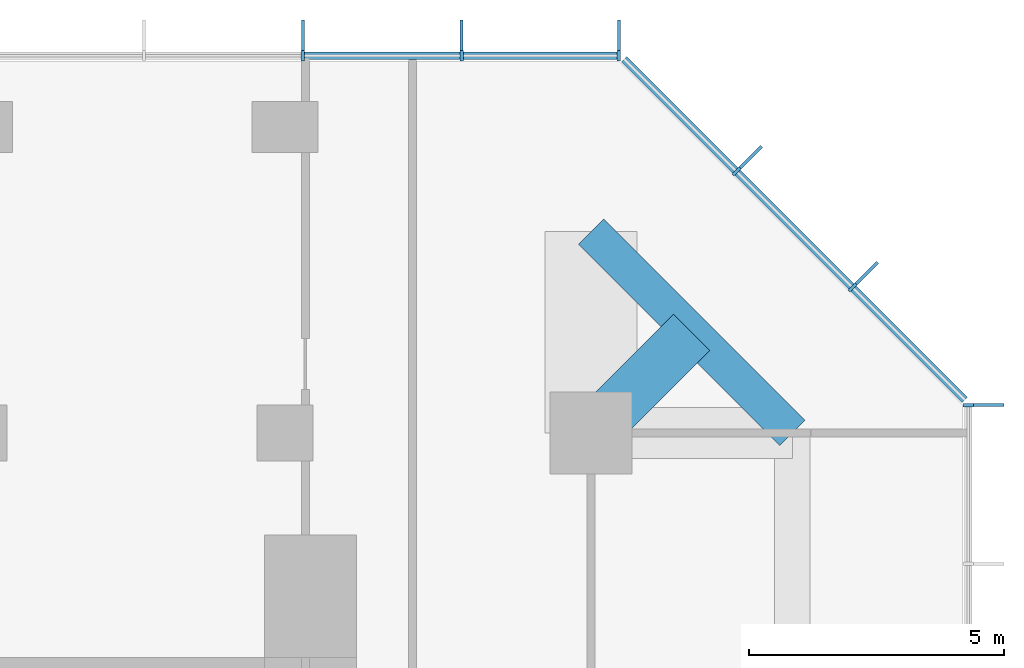
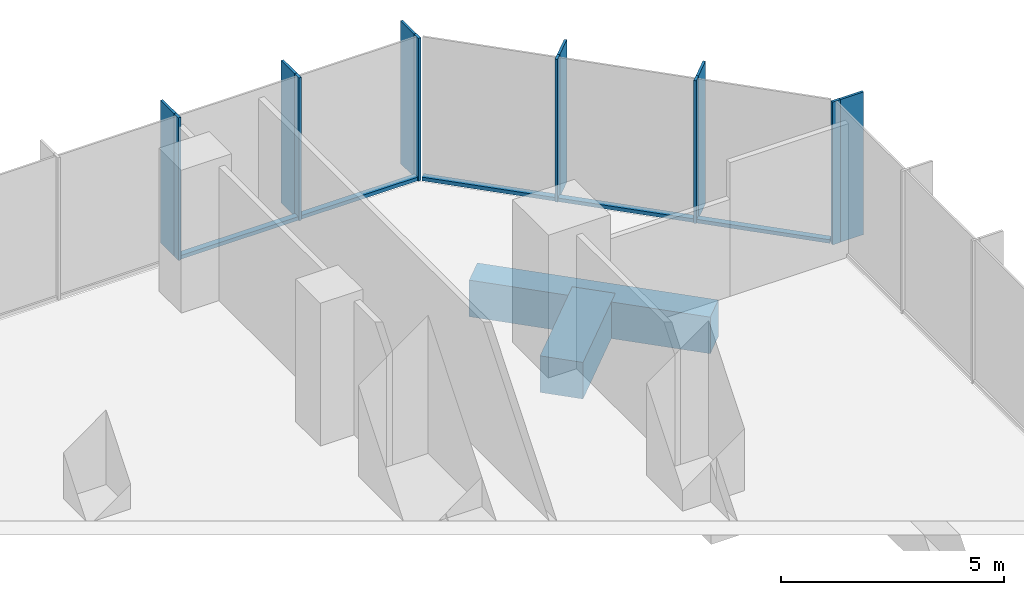
# One storey, part 6 of 10: 17 members, 2 beams, 3 elements without a shape of their own.
"""IFC4 building model written with IfcOpenShell, lengths in metres."""

from ifc_helpers import new_model, si_unit, direction, frame, origin, origin_2d, place, context, subcontext, project, spatial, rectangle, extrude, material, layer, layer_set, material_profile, profile_set, type_object, element, aggregate, save


model = new_model("IFC4")

# Units and contexts
model_context = context("Model", 3, precision=1e-05, world=origin(), true_north=direction((0.0, 1.0)))
body_context = subcontext(model_context, "Body", "Model", "MODEL_VIEW")
ifc_project = project(units=[si_unit("LENGTHUNIT", "METRE"), si_unit("AREAUNIT", "SQUARE_METRE"), si_unit("VOLUMEUNIT", "CUBIC_METRE"), si_unit("PLANEANGLEUNIT", "RADIAN"), si_unit("MASSUNIT", "GRAM", prefix="KILO")], contexts=[model_context])

# Site, building, storey
site_placement = place(None, origin())
site = spatial("IfcSite", under=ifc_project, at=site_placement, CompositionType="ELEMENT")
building_placement = place(site_placement, origin())
building = spatial("IfcBuilding", under=site, at=building_placement, Name="Highveld Stack Headquarters", CompositionType="ELEMENT")
storey_placement = place(building_placement, frame((0.0, 0.0, 256.699951171875)))
storey = spatial("IfcBuildingStorey", under=building, at=storey_placement, Name="L63", CompositionType="ELEMENT", Elevation=256.699951171875)

# Beam
ifc_material_1 = material(Name="Concrete C60/75", Category="concrete")
ifc_material_profile_1 = material_profile(ifc_material_1, rectangle(XDim=1.0, YDim=1.0, at=origin_2d()), Name="RC 1000x1000")
ifc_profile_set_1 = profile_set([ifc_material_profile_1], Name="Concrete C60/75")
beam_type_1 = type_object("IfcBeamType", Name="CANTILEVER RIB RC 1000x1000", PredefinedType="USERDEFINED", material=ifc_profile_set_1)
beam_1_placement = place(storey_placement, frame((24.0, 18.0, -0.75), z_axis=(0.707106781187, 0.707106781187, 0.0), x_axis=(-0.707106781187, 0.707106781187, 0.0)))
element("IfcBeam", 1, at=beam_1_placement, inside=storey, type_object=beam_type_1, Name="Cantilever rib 10/H L63", ObjectType="CANTILEVER RIB", PredefinedType="USERDEFINED", context=body_context, shape_type="SweptSolid", body=[
    extrude(rectangle(XDim=1.0, YDim=1.0, at=origin_2d()), origin(), (0.0, 0.0, 1.0), 2.793212890625),
])

# Curtain wall, member
ifc_material_2 = material(Name="Aluminium bronze anodised", Category="aluminium")
ifc_layer = layer(ifc_material_2, 0.199951171875)
ifc_layer_set = layer_set([ifc_layer], Name="Aluminium bronze anodised")
curtain_wall_type = type_object("IfcCurtainWallType", Name="CW5 EXECUTIVE UNITISED CURTAIN WALL", PredefinedType="NOTDEFINED", material=ifc_layer_set)
curtain_wall_1_placement = place(storey_placement, origin())
curtain_wall_1 = element("IfcCurtainWall", 2, at=curtain_wall_1_placement, inside=storey, type_object=curtain_wall_type, Name="Curtain wall CW5 L63 E", PredefinedType="NOTDEFINED")
ifc_material_3 = material(Name="Aluminium bronze anodised", Category="aluminium")
ifc_material_profile_2 = material_profile(ifc_material_3, rectangle(XDim=0.60009765625, YDim=0.06005859375, at=origin_2d()), Name="FIN 600x60")
ifc_profile_set_2 = profile_set([ifc_material_profile_2], Name="Aluminium bronze anodised")
member_type_1 = type_object("IfcMemberType", Name="CW5 BRONZE FIN 600x60", PredefinedType="USERDEFINED", material=ifc_profile_set_2)
member_1_placement = place(storey_placement, frame((31.800048828125, 18.54736328125, 0.0), z_axis=(0.0, 0.0, 1.0), x_axis=(-1.0, 0.0, 0.0)))
member_1 = element("IfcMember", 3, at=member_1_placement, type_object=member_type_1, Name="CW5 fin L63 9", ObjectType="FIN", PredefinedType="USERDEFINED", context=body_context, shape_type="SweptSolid", body=[
    extrude(rectangle(XDim=0.60009765625, YDim=0.06005859375, at=origin_2d()), origin(), (0.0, 0.0, 1.0), 3.900146484375),
])

# Curtain wall, members
curtain_wall_2_placement = place(storey_placement, origin())
curtain_wall_2 = element("IfcCurtainWall", 4, at=curtain_wall_2_placement, inside=storey, type_object=curtain_wall_type, Name="Curtain wall CW5 L63 NE", PredefinedType="NOTDEFINED")
member_2_placement = place(storey_placement, frame((29.409423828125, 21.135986328125, 0.0), z_axis=(0.0, 0.0, 1.0), x_axis=(-0.707106781187, -0.707106781187, 0.0)))
member_2 = element("IfcMember", 5, at=member_2_placement, type_object=member_type_1, Name="CW5 fin L63 1", ObjectType="FIN", PredefinedType="USERDEFINED", context=body_context, shape_type="SweptSolid", body=[
    extrude(rectangle(XDim=0.60009765625, YDim=0.06005859375, at=origin_2d()), origin(), (0.0, 0.0, 1.0), 3.900146484375),
])
member_3_placement = place(storey_placement, frame((27.135986328125, 23.409423828125, 0.0), z_axis=(0.0, 0.0, 1.0), x_axis=(-0.707106781187, -0.707106781187, 0.0)))
member_3 = element("IfcMember", 6, at=member_3_placement, type_object=member_type_1, Name="CW5 fin L63 2", ObjectType="FIN", PredefinedType="USERDEFINED", context=body_context, shape_type="SweptSolid", body=[
    extrude(rectangle(XDim=0.60009765625, YDim=0.06005859375, at=origin_2d()), origin(), (0.0, 0.0, 1.0), 3.900146484375),
])

curtain_wall_3_placement = place(storey_placement, origin())
curtain_wall_3 = element("IfcCurtainWall", 7, at=curtain_wall_3_placement, inside=storey, type_object=curtain_wall_type, Name="Curtain wall CW5 L63 N", PredefinedType="NOTDEFINED")
member_4_placement = place(storey_placement, frame((24.54736328125, 25.800048828125, 0.0), z_axis=(0.0, 0.0, 1.0), x_axis=(0.0, -1.0, 0.0)))
member_4 = element("IfcMember", 8, at=member_4_placement, type_object=member_type_1, Name="CW5 fin L63 1", ObjectType="FIN", PredefinedType="USERDEFINED", context=body_context, shape_type="SweptSolid", body=[
    extrude(rectangle(XDim=0.60009765625, YDim=0.06005859375, at=origin_2d()), origin(), (0.0, 0.0, 1.0), 3.900146484375),
])
member_5_placement = place(storey_placement, frame((21.4638671875, 25.800048828125, 0.0), z_axis=(0.0, 0.0, 1.0), x_axis=(0.0, -1.0, 0.0)))
member_5 = element("IfcMember", 9, at=member_5_placement, type_object=member_type_1, Name="CW5 fin L63 2", ObjectType="FIN", PredefinedType="USERDEFINED", context=body_context, shape_type="SweptSolid", body=[
    extrude(rectangle(XDim=0.60009765625, YDim=0.06005859375, at=origin_2d()), origin(), (0.0, 0.0, 1.0), 3.900146484375),
])
member_6_placement = place(storey_placement, frame((18.347900390625, 25.800048828125, 0.0), z_axis=(0.0, 0.0, 1.0), x_axis=(0.0, -1.0, 0.0)))
member_6 = element("IfcMember", 10, at=member_6_placement, type_object=member_type_1, Name="CW5 fin L63 3", ObjectType="FIN", PredefinedType="USERDEFINED", context=body_context, shape_type="SweptSolid", body=[
    extrude(rectangle(XDim=0.60009765625, YDim=0.06005859375, at=origin_2d()), origin(), (0.0, 0.0, 1.0), 3.900146484375),
])

# Member
ifc_material_4 = material(Name="Aluminium bronze anodised", Category="aluminium")
ifc_material_profile_3 = material_profile(ifc_material_4, rectangle(XDim=0.199951171875, YDim=0.06494140625, at=origin_2d()), Name="CW5 MULLION 65x200")
ifc_profile_set_3 = profile_set([ifc_material_profile_3], Name="Aluminium bronze anodised")
member_type_2 = type_object("IfcMemberType", Name="CW5 MULLION 65x200", PredefinedType="MULLION", material=ifc_profile_set_3)
member_7_placement = place(storey_placement, frame((31.39990234375, 18.54736328125, 0.0), z_axis=(0.0, 0.0, 1.0), x_axis=(-1.0, 0.0, 0.0)))
member_7 = element("IfcMember", 11, at=member_7_placement, type_object=member_type_2, Name="CW5 mullion L63 9", PredefinedType="MULLION", context=body_context, shape_type="SweptSolid", body=[
    extrude(rectangle(XDim=0.199951171875, YDim=0.06494140625, at=origin_2d()), origin(), (0.0, 0.0, 1.0), 3.900146484375),
])

aggregate(curtain_wall_1, [member_7, member_1])

member_8_placement = place(storey_placement, frame((29.126708984375, 20.853271484375, 0.0), z_axis=(0.0, 0.0, 1.0), x_axis=(-0.707106781187, -0.707106781187, 0.0)))
member_8 = element("IfcMember", 12, at=member_8_placement, type_object=member_type_2, Name="CW5 mullion L63 1", PredefinedType="MULLION", context=body_context, shape_type="SweptSolid", body=[
    extrude(rectangle(XDim=0.199951171875, YDim=0.06494140625, at=origin_2d()), origin(), (0.0, 0.0, 1.0), 3.900146484375),
])

member_9_placement = place(storey_placement, frame((26.853271484375, 23.126708984375, 0.0), z_axis=(0.0, 0.0, 1.0), x_axis=(-0.707106781187, -0.707106781187, 0.0)))
member_9 = element("IfcMember", 13, at=member_9_placement, type_object=member_type_2, Name="CW5 mullion L63 2", PredefinedType="MULLION", context=body_context, shape_type="SweptSolid", body=[
    extrude(rectangle(XDim=0.199951171875, YDim=0.06494140625, at=origin_2d()), origin(), (0.0, 0.0, 1.0), 3.900146484375),
])

member_10_placement = place(storey_placement, frame((24.54736328125, 25.39990234375, 0.0), z_axis=(0.0, 0.0, 1.0), x_axis=(0.0, -1.0, 0.0)))
member_10 = element("IfcMember", 14, at=member_10_placement, type_object=member_type_2, Name="CW5 mullion L63 1", PredefinedType="MULLION", context=body_context, shape_type="SweptSolid", body=[
    extrude(rectangle(XDim=0.199951171875, YDim=0.06494140625, at=origin_2d()), origin(), (0.0, 0.0, 1.0), 3.900146484375),
])

member_11_placement = place(storey_placement, frame((21.4638671875, 25.39990234375, 0.0), z_axis=(0.0, 0.0, 1.0), x_axis=(0.0, -1.0, 0.0)))
member_11 = element("IfcMember", 15, at=member_11_placement, type_object=member_type_2, Name="CW5 mullion L63 2", PredefinedType="MULLION", context=body_context, shape_type="SweptSolid", body=[
    extrude(rectangle(XDim=0.199951171875, YDim=0.06494140625, at=origin_2d()), origin(), (0.0, 0.0, 1.0), 3.900146484375),
])

member_12_placement = place(storey_placement, frame((18.347900390625, 25.39990234375, 0.0), z_axis=(0.0, 0.0, 1.0), x_axis=(0.0, -1.0, 0.0)))
member_12 = element("IfcMember", 16, at=member_12_placement, type_object=member_type_2, Name="CW5 mullion L63 3", PredefinedType="MULLION", context=body_context, shape_type="SweptSolid", body=[
    extrude(rectangle(XDim=0.199951171875, YDim=0.06494140625, at=origin_2d()), origin(), (0.0, 0.0, 1.0), 3.900146484375),
])

ifc_material_5 = material(Name="Aluminium bronze anodised", Category="aluminium")
ifc_material_profile_4 = material_profile(ifc_material_5, rectangle(XDim=0.14990234375, YDim=0.10009765625, at=origin_2d()), Name="CW5 TRANSOM 150x100")
ifc_profile_set_4 = profile_set([ifc_material_profile_4], Name="Aluminium bronze anodised")
member_type_3 = type_object("IfcMemberType", Name="CW5 STACK TRANSOM 150x100", PredefinedType="USERDEFINED", material=ifc_profile_set_4)
member_13_placement = place(storey_placement, frame((31.329345703125, 18.650634765625, 0.050048828125), z_axis=(-0.707106781187, 0.707106781187, 0.0), x_axis=(-0.707106781187, -0.707106781187, 0.0)))
member_13 = element("IfcMember", 17, at=member_13_placement, type_object=member_type_3, Name="CW5 transom L63 1.1", ObjectType="TRANSOM", PredefinedType="USERDEFINED", context=body_context, shape_type="SweptSolid", body=[
    extrude(rectangle(XDim=0.14990234375, YDim=0.10009765625, at=origin_2d()), origin(), (0.0, 0.0, 1.0), 3.08251953125),
])

member_14_placement = place(storey_placement, frame((29.103759765625, 20.876220703125, 0.050048828125), z_axis=(-0.707106781187, 0.707106781187, 0.0), x_axis=(-0.707106781187, -0.707106781187, 0.0)))
member_14 = element("IfcMember", 18, at=member_14_placement, type_object=member_type_3, Name="CW5 transom L63 2.1", ObjectType="TRANSOM", PredefinedType="USERDEFINED", context=body_context, shape_type="SweptSolid", body=[
    extrude(rectangle(XDim=0.14990234375, YDim=0.10009765625, at=origin_2d()), origin(), (0.0, 0.0, 1.0), 3.150146484375),
])

member_15_placement = place(storey_placement, frame((26.830322265625, 23.149658203125, 0.050048828125), z_axis=(-0.707106781187, 0.707106781187, 0.0), x_axis=(-0.707106781187, -0.707106781187, 0.0)))
member_15 = element("IfcMember", 19, at=member_15_placement, type_object=member_type_3, Name="CW5 transom L63 3.1", ObjectType="TRANSOM", PredefinedType="USERDEFINED", context=body_context, shape_type="SweptSolid", body=[
    extrude(rectangle(XDim=0.14990234375, YDim=0.10009765625, at=origin_2d()), origin(), (0.0, 0.0, 1.0), 3.08251953125),
])

aggregate(curtain_wall_2, [member_8, member_2, member_9, member_3, member_13, member_14, member_15])

member_16_placement = place(storey_placement, frame((24.514892578125, 25.39990234375, 0.050048828125), z_axis=(-1.0, 0.0, 0.0), x_axis=(0.0, -1.0, 0.0)))
member_16 = element("IfcMember", 20, at=member_16_placement, type_object=member_type_3, Name="CW5 transom L63 1.1", ObjectType="TRANSOM", PredefinedType="USERDEFINED", context=body_context, shape_type="SweptSolid", body=[
    extrude(rectangle(XDim=0.14990234375, YDim=0.10009765625, at=origin_2d()), origin(), (0.0, 0.0, 1.0), 3.0185546875),
])

member_17_placement = place(storey_placement, frame((21.431396484375, 25.39990234375, 0.050048828125), z_axis=(-1.0, 0.0, 0.0), x_axis=(0.0, -1.0, 0.0)))
member_17 = element("IfcMember", 21, at=member_17_placement, type_object=member_type_3, Name="CW5 transom L63 2.1", ObjectType="TRANSOM", PredefinedType="USERDEFINED", context=body_context, shape_type="SweptSolid", body=[
    extrude(rectangle(XDim=0.14990234375, YDim=0.10009765625, at=origin_2d()), origin(), (0.0, 0.0, 1.0), 3.051025390625),
])

aggregate(curtain_wall_3, [member_10, member_4, member_11, member_5, member_12, member_6, member_16, member_17])

# Beam
ifc_material_6 = material(Name="Concrete C60/75", Category="concrete")
ifc_material_profile_5 = material_profile(ifc_material_6, rectangle(XDim=0.699951171875, YDim=1.0, at=origin_2d()), Name="RC 700x1000")
ifc_profile_set_5 = profile_set([ifc_material_profile_5], Name="Concrete C60/75")
beam_type_2 = type_object("IfcBeamType", Name="RIB TIP BEAM RC 700x1000", PredefinedType="SPANDREL", material=ifc_profile_set_5)
beam_2_placement = place(storey_placement, frame((27.949951171875, 18.0, -0.75), z_axis=(-0.707106781187, 0.707106781187, 0.0), x_axis=(-0.707106781187, -0.707106781187, 0.0)))
element("IfcBeam", 22, at=beam_2_placement, inside=storey, type_object=beam_type_2, Name="Rib tip beam 10/H corner L63", PredefinedType="SPANDREL", context=body_context, shape_type="SweptSolid", body=[
    extrude(rectangle(XDim=0.699951171875, YDim=1.0, at=origin_2d()), origin(), (0.0, 0.0, 1.0), 5.586181640625),
])

save(model, "model.ifc")
